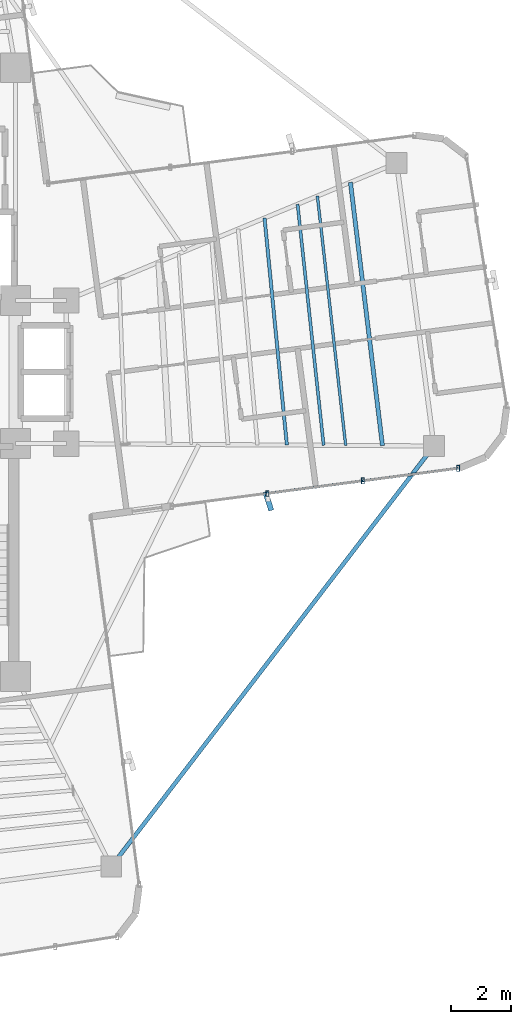
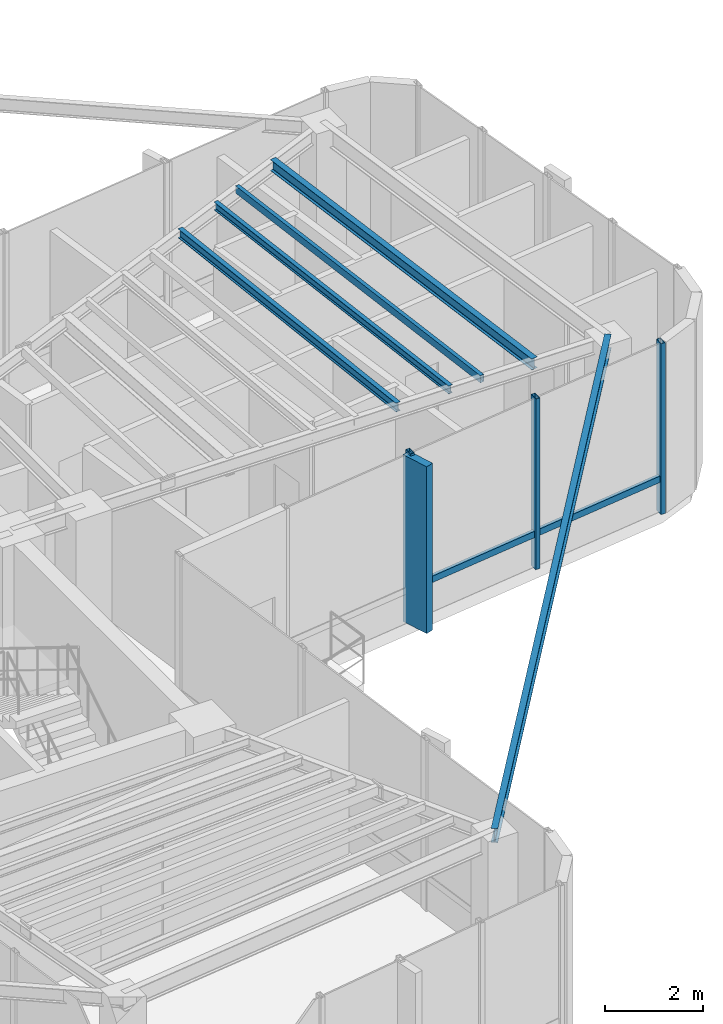
# One storey, part 8 of 20: 6 members, 5 beams, 1 element without a shape of its own.
"""IFC4 building model written with IfcOpenShell, lengths in metres."""

from ifc_helpers import new_model, si_unit, direction, frame, origin, origin_2d, place, context, subcontext, project, spatial, rectangle, hollow_rectangle, i_section, extrude, source, transform, mapped, material, material_profile, profile_set, type_object, element, aggregate, save


model = new_model("IFC4")

# Units and contexts
model_context = context("Model", 3, precision=1e-05, world=origin(), true_north=direction((0.0, 1.0)))
body_context = subcontext(model_context, "Body", "Model", "MODEL_VIEW")
ifc_project = project(units=[si_unit("LENGTHUNIT", "METRE"), si_unit("AREAUNIT", "SQUARE_METRE"), si_unit("VOLUMEUNIT", "CUBIC_METRE"), si_unit("PLANEANGLEUNIT", "RADIAN"), si_unit("MASSUNIT", "GRAM", prefix="KILO")], contexts=[model_context])

# Site, building, storey
site_placement = place(None, origin())
site = spatial("IfcSite", under=ifc_project, at=site_placement, CompositionType="ELEMENT")
building_placement = place(site_placement, origin())
building = spatial("IfcBuilding", under=site, at=building_placement, Name="Sahyath Konkavel Grand Hotel", CompositionType="ELEMENT")
storey_placement = place(building_placement, frame((0.0, 0.0, 229.949951171875)))
storey = spatial("IfcBuildingStorey", under=building, at=storey_placement, Name="L64", CompositionType="ELEMENT", Elevation=229.949951171875)

# Beams
ifc_material_1 = material(Name="Steel E350", Category="steel")
ifc_material_profile_1 = material_profile(ifc_material_1, i_section(OverallWidth=0.139892578125, OverallDepth=0.35009765625, WebThickness=0.008056640625, FlangeThickness=0.01416015625, FilletRadius=0.013916015625, at=origin_2d()), Name="ISMB 350")
ifc_profile_set_1 = profile_set([ifc_material_profile_1], Name="Steel E350")
beam_type_1 = type_object("IfcBeamType", Name="BM-ISMB350", PredefinedType="BEAM", material=ifc_profile_set_1)
shared_shape_1 = source(origin(), body_context, "Body", "SweptSolid", [
    extrude(i_section(OverallWidth=0.139892578125, OverallDepth=0.35009765625, WebThickness=0.008056640625, FlangeThickness=0.01416015625, FilletRadius=0.013916015625, at=origin_2d()), origin(), (0.0, 0.0, 1.0), 17.768310546875),
])
beam_1_placement = place(storey_placement, frame((17.822998046875, -2.477783203125, 4.0849609375), z_axis=(-0.608764084382, -0.793351302745, 0.0), x_axis=(0.793351302745, -0.608764084382, 0.0)))
element("IfcBeam", 1, at=beam_1_placement, inside=storey, type_object=beam_type_1, Name="L64 Re-Entrant Tie Beam SE", PredefinedType="BEAM", context=body_context, shape_type="MappedRepresentation", body=[
    mapped(shared_shape_1, transform((0.0, 0.0, 0.0), scale=1.0)),
])
ifc_material_profile_2 = material_profile(ifc_material_1, hollow_rectangle(XDim=0.090087890625, YDim=0.179931640625, WallThickness=0.008056640625, at=origin_2d()), Name="RHS 180x90x8")
ifc_profile_set_2 = profile_set([ifc_material_profile_2], Name="Steel E350")
beam_type_2 = type_object("IfcBeamType", Name="BM-RHS180", PredefinedType="BEAM", material=ifc_profile_set_2)
shared_shape_2 = source(origin(), body_context, "Body", "SweptSolid", [
    extrude(hollow_rectangle(XDim=0.090087890625, YDim=0.179931640625, WallThickness=0.008056640625, at=origin_2d()), origin(), (0.0, 0.0, 1.0), 8.41357421875),
])
beam_2_placement = place(storey_placement, frame((14.865478515625, -2.458984375, 4.170166015625), z_axis=(-0.112791190308, 0.993618713284, 0.0), x_axis=(-0.993618713284, -0.112791190308, 0.0)))
element("IfcBeam", 2, at=beam_2_placement, inside=storey, type_object=beam_type_2, Name="L64 Secondary Floor Beam E-3", PredefinedType="BEAM", context=body_context, shape_type="MappedRepresentation", body=[
    mapped(shared_shape_2, transform((0.0, 0.0, 0.0), scale=1.0)),
])
ifc_material_profile_3 = material_profile(ifc_material_1, i_section(OverallWidth=0.110107421875, OverallDepth=0.22509765625, WebThickness=0.006591796875, FlangeThickness=0.01171875, FilletRadius=0.011962890625, at=origin_2d()), Name="ISMB 225")
ifc_profile_set_3 = profile_set([ifc_material_profile_3], Name="Steel E350")
beam_type_3 = type_object("IfcBeamType", Name="BM-ISMB225", PredefinedType="BEAM", material=ifc_profile_set_3)
shared_shape_3 = source(origin(), body_context, "Body", "SweptSolid", [
    extrude(i_section(OverallWidth=0.110107421875, OverallDepth=0.22509765625, WebThickness=0.006591796875, FlangeThickness=0.01171875, FilletRadius=0.011962890625, at=origin_2d()), origin(), (0.0, 0.0, 1.0), 7.6474609375),
])
beam_3_placement = place(storey_placement, frame((12.893798828125, -2.44677734375, 4.1474609375), z_axis=(-0.097976905826, 0.995188688604, 0.0), x_axis=(-0.995188688604, -0.097976905826, 0.0)))
element("IfcBeam", 3, at=beam_3_placement, inside=storey, type_object=beam_type_3, Name="L64 Composite Deck Sub-Beam E-4", PredefinedType="BEAM", context=body_context, shape_type="MappedRepresentation", body=[
    mapped(shared_shape_3, transform((0.0, 0.0, 0.0), scale=1.0)),
])
ifc_material_profile_4 = material_profile(ifc_material_1, i_section(OverallWidth=0.10009765625, OverallDepth=0.199951171875, WebThickness=0.005615234375, FlangeThickness=0.0107421875, FilletRadius=0.010986328125, at=origin_2d()), Name="ISMB 200")
ifc_profile_set_4 = profile_set([ifc_material_profile_4], Name="Steel E350")
beam_type_4 = type_object("IfcBeamType", Name="BM-ISMB200", PredefinedType="BEAM", material=ifc_profile_set_4)
shared_shape_4 = source(origin(), body_context, "Body", "SweptSolid", [
    extrude(i_section(OverallWidth=0.10009765625, OverallDepth=0.199951171875, WebThickness=0.005615234375, FlangeThickness=0.0107421875, FilletRadius=0.010986328125, at=origin_2d()), origin(), (0.0, 0.0, 1.0), 8.126220703125),
])
beam_4_placement = place(storey_placement, frame((14.1259765625, -2.45458984375, 4.16015625), z_axis=(-0.107555682416, 0.99419906215, 0.0), x_axis=(-0.99419906215, -0.107555682416, 0.0)))
element("IfcBeam", 4, at=beam_4_placement, inside=storey, type_object=beam_type_4, Name="L64 Composite Deck Sub-Beam E-5", PredefinedType="BEAM", context=body_context, shape_type="MappedRepresentation", body=[
    mapped(shared_shape_4, transform((0.0, 0.0, 0.0), scale=1.0)),
])
ifc_material_profile_5 = material_profile(ifc_material_1, i_section(OverallWidth=0.139892578125, OverallDepth=0.27490234375, WebThickness=0.00634765625, FlangeThickness=0.0087890625, FilletRadius=0.012939453125, at=origin_2d()), Name="ISLB 275")
ifc_profile_set_5 = profile_set([ifc_material_profile_5], Name="Steel E350")
beam_type_5 = type_object("IfcBeamType", Name="BM-ISLB275", PredefinedType="BEAM", material=ifc_profile_set_5)
shared_shape_5 = source(origin(), body_context, "Body", "SweptSolid", [
    extrude(i_section(OverallWidth=0.139892578125, OverallDepth=0.27490234375, WebThickness=0.00634765625, FlangeThickness=0.0087890625, FilletRadius=0.012939453125, at=origin_2d()), origin(), (0.0, 0.0, 1.0), 8.89306640625),
])
beam_5_placement = place(storey_placement, frame((16.09765625, -2.466796875, 4.12255859375), z_axis=(-0.120736363524, 0.99268460778, 0.0), x_axis=(-0.99268460778, -0.120736363524, 0.0)))
element("IfcBeam", 5, at=beam_5_placement, inside=storey, type_object=beam_type_5, Name="L64 Composite Deck Sub-Beam E-6", PredefinedType="BEAM", context=body_context, shape_type="MappedRepresentation", body=[
    mapped(shared_shape_5, transform((0.0, 0.0, 0.0), scale=1.0)),
])

# Curtain wall, members
ifc_material_2 = material(Name="Anodised Bronze Aluminium & Low-E Glazing", Category="aluminium")
curtain_wall_type = type_object("IfcCurtainWallType", Name="CW-SKYLOBBY", PredefinedType="NOTDEFINED", material=ifc_material_2)
curtain_wall_placement = place(storey_placement, origin())
curtain_wall = element("IfcCurtainWall", 6, at=curtain_wall_placement, inside=storey, type_object=curtain_wall_type, Name="L64 Unitised Curtain Wall F0", PredefinedType="NOTDEFINED")
ifc_material_3 = material(Name="Anodised Bronze Aluminium", Category="aluminium")
ifc_material_profile_6 = material_profile(ifc_material_3, hollow_rectangle(XDim=0.10009765625, YDim=0.199951171875, WallThickness=0.008056640625, at=origin_2d()), Name="RHS 200x100x8")
ifc_profile_set_6 = profile_set([ifc_material_profile_6], Name="Anodised Bronze Aluminium")
member_type_1 = type_object("IfcMemberType", Name="CW-MUL-200", PredefinedType="MULLION", material=ifc_profile_set_6)
shared_shape_6 = source(origin(), body_context, "Body", "SweptSolid", [
    extrude(hollow_rectangle(XDim=0.10009765625, YDim=0.199951171875, WallThickness=0.008056640625, at=origin_2d()), origin(), (0.0, 0.0, 1.0), 4.260009765625),
])
member_1_placement = place(storey_placement, frame((12.237060546875, -4.070556640625, 0.0), z_axis=(0.0, 0.0, 1.0), x_axis=(1.0, 0.0, 0.0)))
member_1 = element("IfcMember", 7, at=member_1_placement, type_object=member_type_1, Name="L64 Curtain Wall Mullion F0-1", PredefinedType="MULLION", context=body_context, shape_type="MappedRepresentation", body=[
    mapped(shared_shape_6, transform((0.0, 0.0, 0.0), scale=1.0)),
])
member_2_placement = place(storey_placement, frame((15.4375, -3.6494140625, 0.0), z_axis=(0.0, 0.0, 1.0), x_axis=(1.0, 0.0, 0.0)))
member_2 = element("IfcMember", 8, at=member_2_placement, type_object=member_type_1, Name="L64 Curtain Wall Mullion F0-2", PredefinedType="MULLION", context=body_context, shape_type="MappedRepresentation", body=[
    mapped(shared_shape_6, transform((0.0, 0.0, 0.0), scale=1.0)),
])
member_3_placement = place(storey_placement, frame((18.6376953125, -3.227783203125, 0.0), z_axis=(0.0, 0.0, 1.0), x_axis=(1.0, 0.0, 0.0)))
member_3 = element("IfcMember", 9, at=member_3_placement, type_object=member_type_1, Name="L64 Curtain Wall Mullion F0-3", PredefinedType="MULLION", context=body_context, shape_type="MappedRepresentation", body=[
    mapped(shared_shape_6, transform((0.0, 0.0, 0.0), scale=1.0)),
])
ifc_material_4 = material(Name="Warm Buff Sandstone Cladding on Concrete C50/60", Category="masonry")
ifc_material_profile_7 = material_profile(ifc_material_4, rectangle(XDim=0.179931640625, YDim=0.64990234375, at=origin_2d()), Name="FIN 180x650")
ifc_profile_set_7 = profile_set([ifc_material_profile_7], Name="Warm Buff Sandstone Cladding on Concrete C50/60")
member_type_2 = type_object("IfcMemberType", Name="FIN-SANDSTONE-650", PredefinedType="MULLION", material=ifc_profile_set_7)
shared_shape_7 = source(origin(), body_context, "Body", "SweptSolid", [
    extrude(rectangle(XDim=0.179931640625, YDim=0.64990234375, at=origin_2d()), origin(), (0.0, 0.0, 1.0), 4.159912109375),
])
member_4_placement = place(storey_placement, frame((12.27099609375, -4.328369140625, 0.050048828125), z_axis=(0.0, 0.0, 1.0), x_axis=(0.952022626946, 0.306027642189, 0.0)))
member_4 = element("IfcMember", 10, at=member_4_placement, type_object=member_type_2, Name="L64 Sandstone Vertical Solar Fin FIN F0-1", PredefinedType="MULLION", context=body_context, shape_type="MappedRepresentation", body=[
    mapped(shared_shape_7, transform((0.0, 0.0, 0.0), scale=1.0)),
])
ifc_material_profile_8 = material_profile(ifc_material_3, hollow_rectangle(XDim=0.080078125, YDim=0.159912109375, WallThickness=0.006103515625, at=origin_2d()), Name="RHS 160x80x6")
ifc_profile_set_8 = profile_set([ifc_material_profile_8], Name="Anodised Bronze Aluminium")
member_type_3 = type_object("IfcMemberType", Name="CW-TRN-160", PredefinedType="USERDEFINED", material=ifc_profile_set_8)
shared_shape_8 = source(origin(), body_context, "Body", "SweptSolid", [
    extrude(hollow_rectangle(XDim=0.080078125, YDim=0.159912109375, WallThickness=0.006103515625, at=origin_2d()), origin(), (0.0, 0.0, 1.0), 3.22802734375),
])
member_5_placement = place(storey_placement, frame((12.237060546875, -4.070556640625, 0.85009765625), z_axis=(0.991453008369, 0.130464294716, 0.0), x_axis=(-0.130464294716, 0.991453008369, 0.0)))
member_5 = element("IfcMember", 11, at=member_5_placement, type_object=member_type_3, Name="L64 Curtain Wall Transom F0-1-spandrel", ObjectType="TRANSOM", PredefinedType="USERDEFINED", context=body_context, shape_type="MappedRepresentation", body=[
    mapped(shared_shape_8, transform((0.0, 0.0, 0.0), scale=1.0)),
])
shared_shape_9 = source(origin(), body_context, "Body", "SweptSolid", [
    extrude(hollow_rectangle(XDim=0.080078125, YDim=0.159912109375, WallThickness=0.006103515625, at=origin_2d()), origin(), (0.0, 0.0, 1.0), 3.227783203125),
])
member_6_placement = place(storey_placement, frame((15.4375, -3.6494140625, 0.85009765625), z_axis=(0.991432141488, 0.13062277299, 0.0), x_axis=(-0.13062277299, 0.991432141488, 0.0)))
member_6 = element("IfcMember", 12, at=member_6_placement, type_object=member_type_3, Name="L64 Curtain Wall Transom F0-2-spandrel", ObjectType="TRANSOM", PredefinedType="USERDEFINED", context=body_context, shape_type="MappedRepresentation", body=[
    mapped(shared_shape_9, transform((0.0, 0.0, 0.0), scale=1.0)),
])
aggregate(curtain_wall, [member_1, member_4, member_2, member_3, member_5, member_6])

save(model, "model.ifc")
